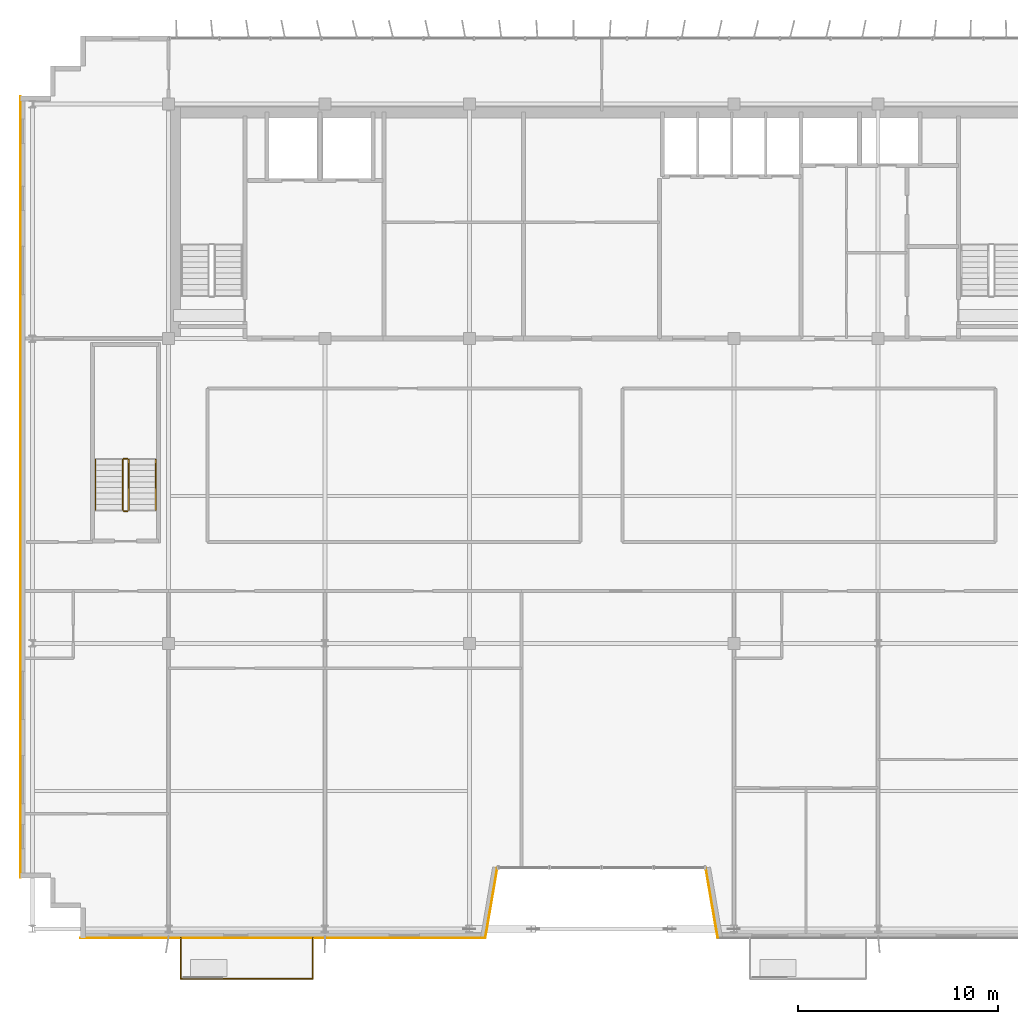
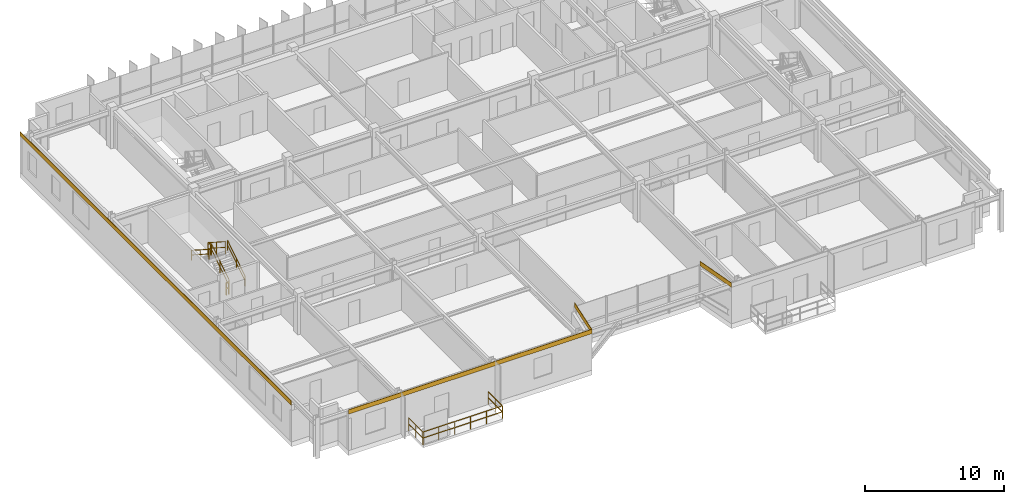
# One storey, part 26 of 28: 9 railings, 4 coverings.
"""IFC4 building model written with IfcOpenShell, lengths in metres."""

from ifc_helpers import new_model, si_unit, direction, frame, origin, origin_2d, place, context, subcontext, project, spatial, rectangle, extrude, source, transform, mapped, material, layer, layer_set, type_object, element, save


model = new_model("IFC4")

# Units and contexts
model_context = context("Model", 3, precision=1e-05, world=origin(), true_north=direction((0.0, 1.0)))
body_context = subcontext(model_context, "Body", "Model", "MODEL_VIEW")
ifc_project = project(units=[si_unit("LENGTHUNIT", "METRE"), si_unit("AREAUNIT", "SQUARE_METRE"), si_unit("VOLUMEUNIT", "CUBIC_METRE"), si_unit("PLANEANGLEUNIT", "RADIAN"), si_unit("MASSUNIT", "GRAM", prefix="KILO")], contexts=[model_context])

# Site, building, storey
site_placement = place(None, origin())
site = spatial("IfcSite", under=ifc_project, at=site_placement, CompositionType="ELEMENT")
building_placement = place(site_placement, origin())
building = spatial("IfcBuilding", under=site, at=building_placement, Name="Trelvane Seafront Commons", CompositionType="ELEMENT")
storey_placement = place(building_placement, frame((0.0, 0.0, 295.5)))
storey = spatial("IfcBuildingStorey", under=building, at=storey_placement, Name="L77", CompositionType="ELEMENT", Elevation=295.5)

# Railings
ifc_material_1 = material(Name="Stainless steel balustrade", Category="steel")
railing_type_1 = type_object("IfcRailingType", Name="ARCH-RAIL-BAL1150", PredefinedType="BALUSTRADE", material=ifc_material_1)
railing_1_placement = place(storey_placement, frame((16.199951171875, 3.5, 0.0)))
element("IfcRailing", 1, at=railing_1_placement, inside=storey, type_object=railing_type_1, Name="RL-L77-BAL0-01", PredefinedType="BALUSTRADE", context=body_context, shape_type="SweptSolid", body=[
    extrude(rectangle(XDim=0.048095703125, YDim=0.048095703125, at=origin_2d()), frame((0.0, 0.0, 1.1259765625), z_axis=(0.0, -1.0, 0.0), x_axis=(1.0, 0.0, 0.0)), (0.0, 0.0, 1.0), 2.0400390625),
    extrude(rectangle(XDim=0.048095703125, YDim=0.048095703125, at=origin_2d()), frame((0.0, 0.0, 0.597900390625), z_axis=(0.0, -1.0, 0.0), x_axis=(1.0, 0.0, 0.0)), (0.0, 0.0, 1.0), 2.0400390625),
    extrude(rectangle(XDim=0.0419921875, YDim=0.0419921875, at=origin_2d()), origin(), (0.0, 0.0, 1.0), 1.1259765625),
    extrude(rectangle(XDim=0.0419921875, YDim=0.0419921875, at=origin_2d()), frame((0.0, -1.02001953125, 0.0)), (0.0, 0.0, 1.0), 1.1259765625),
    extrude(rectangle(XDim=0.0419921875, YDim=0.0419921875, at=origin_2d()), frame((0.0, -2.0400390625, 0.0)), (0.0, 0.0, 1.0), 1.1259765625),
])
railing_2_placement = place(storey_placement, frame((16.199951171875, 1.4599609375, 0.0)))
element("IfcRailing", 2, at=railing_2_placement, inside=storey, type_object=railing_type_1, Name="RL-L77-BAL0-02", PredefinedType="BALUSTRADE", context=body_context, shape_type="SweptSolid", body=[
    extrude(rectangle(XDim=0.048095703125, YDim=0.048095703125, at=origin_2d()), frame((0.0, 0.0, 1.1259765625), z_axis=(1.0, 0.0, 0.0), x_axis=(0.0, 1.0, 0.0)), (0.0, 0.0, 1.0), 6.60009765625),
    extrude(rectangle(XDim=0.048095703125, YDim=0.048095703125, at=origin_2d()), frame((0.0, 0.0, 0.597900390625), z_axis=(1.0, 0.0, 0.0), x_axis=(0.0, 1.0, 0.0)), (0.0, 0.0, 1.0), 6.60009765625),
    extrude(rectangle(XDim=0.0419921875, YDim=0.0419921875, at=origin_2d()), origin(), (0.0, 0.0, 1.0), 1.1259765625),
    extrude(rectangle(XDim=0.0419921875, YDim=0.0419921875, at=origin_2d()), frame((1.320068359375, 0.0, 0.0)), (0.0, 0.0, 1.0), 1.1259765625),
    extrude(rectangle(XDim=0.0419921875, YDim=0.0419921875, at=origin_2d()), frame((2.64013671875, 0.0, 0.0)), (0.0, 0.0, 1.0), 1.1259765625),
    extrude(rectangle(XDim=0.0419921875, YDim=0.0419921875, at=origin_2d()), frame((3.9599609375, 0.0, 0.0)), (0.0, 0.0, 1.0), 1.1259765625),
    extrude(rectangle(XDim=0.0419921875, YDim=0.0419921875, at=origin_2d()), frame((5.280029296875, 0.0, 0.0)), (0.0, 0.0, 1.0), 1.1259765625),
    extrude(rectangle(XDim=0.0419921875, YDim=0.0419921875, at=origin_2d()), frame((6.60009765625, 0.0, 0.0)), (0.0, 0.0, 1.0), 1.1259765625),
])
railing_3_placement = place(storey_placement, frame((22.800048828125, 1.4599609375, 0.0)))
element("IfcRailing", 3, at=railing_3_placement, inside=storey, type_object=railing_type_1, Name="RL-L77-BAL0-03", PredefinedType="BALUSTRADE", context=body_context, shape_type="SweptSolid", body=[
    extrude(rectangle(XDim=0.048095703125, YDim=0.048095703125, at=origin_2d()), frame((0.0, 0.0, 1.1259765625), z_axis=(0.0, 1.0, 0.0), x_axis=(-1.0, 0.0, 0.0)), (0.0, 0.0, 1.0), 2.0400390625),
    extrude(rectangle(XDim=0.048095703125, YDim=0.048095703125, at=origin_2d()), frame((0.0, 0.0, 0.597900390625), z_axis=(0.0, 1.0, 0.0), x_axis=(-1.0, 0.0, 0.0)), (0.0, 0.0, 1.0), 2.0400390625),
    extrude(rectangle(XDim=0.0419921875, YDim=0.0419921875, at=origin_2d()), origin(), (0.0, 0.0, 1.0), 1.1259765625),
    extrude(rectangle(XDim=0.0419921875, YDim=0.0419921875, at=origin_2d()), frame((0.0, 1.02001953125, 0.0)), (0.0, 0.0, 1.0), 1.1259765625),
    extrude(rectangle(XDim=0.0419921875, YDim=0.0419921875, at=origin_2d()), frame((0.0, 2.0400390625, 0.0)), (0.0, 0.0, 1.0), 1.1259765625),
])
railing_type_2 = type_object("IfcRailingType", Name="ARCH-SRL-GUARD", PredefinedType="GUARDRAIL", material=ifc_material_1)
railing_4_placement = place(storey_placement, frame((13.60009765625, 24.85009765625, 0.179931640625)))
element("IfcRailing", 4, at=railing_4_placement, inside=storey, type_object=railing_type_2, Name="L77 ST-5 stair guard 1", PredefinedType="GUARDRAIL", context=body_context, shape_type="SweptSolid", body=[
    extrude(rectangle(XDim=0.048095703125, YDim=0.048095703125, at=origin_2d()), frame((0.0, 0.0, 1.076171875), z_axis=(0.0, 0.841162588446, 0.540782303519), x_axis=(-1.0, 0.0, 0.0)), (0.0, 0.0, 1.0), 2.995849609375),
    extrude(rectangle(XDim=0.048095703125, YDim=0.048095703125, at=origin_2d()), frame((0.0, 0.0, 0.572021484375), z_axis=(0.0, 0.841162588446, 0.540782303519), x_axis=(-1.0, 0.0, 0.0)), (0.0, 0.0, 1.0), 2.995849609375),
    extrude(rectangle(XDim=0.0419921875, YDim=0.0419921875, at=origin_2d()), origin(), (0.0, 0.0, 1.0), 1.076171875),
    extrude(rectangle(XDim=0.0419921875, YDim=0.0419921875, at=origin_2d()), frame((0.0, 1.260009765625, 0.81005859375)), (0.0, 0.0, 1.0), 1.076171875),
    extrude(rectangle(XDim=0.0419921875, YDim=0.0419921875, at=origin_2d()), frame((0.0, 2.52001953125, 1.6201171875)), (0.0, 0.0, 1.0), 1.076171875),
])
railing_5_placement = place(storey_placement, frame((13.550048828125, 27.419921875, 1.800048828125)))
element("IfcRailing", 5, at=railing_5_placement, inside=storey, type_object=railing_type_2, Name="L77 ST-5 stair guard 2", PredefinedType="GUARDRAIL", context=body_context, shape_type="SweptSolid", body=[
    extrude(rectangle(XDim=0.048095703125, YDim=0.048095703125, at=origin_2d()), frame((0.0, 0.0, 1.076171875), z_axis=(-1.0, 0.0, 0.0), x_axis=(0.0, -1.0, 0.0)), (0.0, 0.0, 1.0), 0.199951171875),
    extrude(rectangle(XDim=0.048095703125, YDim=0.048095703125, at=origin_2d()), frame((0.0, 0.0, 0.572021484375), z_axis=(-1.0, 0.0, 0.0), x_axis=(0.0, -1.0, 0.0)), (0.0, 0.0, 1.0), 0.199951171875),
    extrude(rectangle(XDim=0.0419921875, YDim=0.0419921875, at=origin_2d()), origin(), (0.0, 0.0, 1.0), 1.076171875),
    extrude(rectangle(XDim=0.0419921875, YDim=0.0419921875, at=origin_2d()), frame((-0.199951171875, 0.0, 0.0)), (0.0, 0.0, 1.0), 1.076171875),
])
railing_6_placement = place(storey_placement, frame((13.300048828125, 27.3701171875, 1.97998046875)))
element("IfcRailing", 6, at=railing_6_placement, inside=storey, type_object=railing_type_2, Name="L77 ST-5 stair guard 3", PredefinedType="GUARDRAIL", context=body_context, shape_type="SweptSolid", body=[
    extrude(rectangle(XDim=0.048095703125, YDim=0.048095703125, at=origin_2d()), frame((0.0, 0.0, 1.076171875), z_axis=(0.0, -0.841162588446, 0.540782303519), x_axis=(1.0, 0.0, 0.0)), (0.0, 0.0, 1.0), 2.995849609375),
    extrude(rectangle(XDim=0.048095703125, YDim=0.048095703125, at=origin_2d()), frame((0.0, 0.0, 0.572021484375), z_axis=(0.0, -0.841162588446, 0.540782303519), x_axis=(1.0, 0.0, 0.0)), (0.0, 0.0, 1.0), 2.995849609375),
    extrude(rectangle(XDim=0.0419921875, YDim=0.0419921875, at=origin_2d()), origin(), (0.0, 0.0, 1.0), 1.076171875),
    extrude(rectangle(XDim=0.0419921875, YDim=0.0419921875, at=origin_2d()), frame((0.0, -1.260009765625, 0.81005859375)), (0.0, 0.0, 1.0), 1.076171875),
    extrude(rectangle(XDim=0.0419921875, YDim=0.0419921875, at=origin_2d()), frame((0.0, -2.52001953125, 1.6201171875)), (0.0, 0.0, 1.0), 1.076171875),
])
railing_7_placement = place(storey_placement, frame((13.550048828125, 24.800048828125, 0.0)))
element("IfcRailing", 7, at=railing_7_placement, inside=storey, type_object=railing_type_2, Name="L77 ST-5 stair guard 4", PredefinedType="GUARDRAIL", context=body_context, shape_type="SweptSolid", body=[
    extrude(rectangle(XDim=0.048095703125, YDim=0.048095703125, at=origin_2d()), frame((0.0, 0.0, 1.076171875), z_axis=(-1.0, 0.0, 0.0), x_axis=(0.0, -1.0, 0.0)), (0.0, 0.0, 1.0), 0.199951171875),
    extrude(rectangle(XDim=0.048095703125, YDim=0.048095703125, at=origin_2d()), frame((0.0, 0.0, 0.572021484375), z_axis=(-1.0, 0.0, 0.0), x_axis=(0.0, -1.0, 0.0)), (0.0, 0.0, 1.0), 0.199951171875),
    extrude(rectangle(XDim=0.0419921875, YDim=0.0419921875, at=origin_2d()), origin(), (0.0, 0.0, 1.0), 1.076171875),
    extrude(rectangle(XDim=0.0419921875, YDim=0.0419921875, at=origin_2d()), frame((-0.199951171875, 0.0, 0.0)), (0.0, 0.0, 1.0), 1.076171875),
])
railing_type_3 = type_object("IfcRailingType", Name="ARCH-SRL-HAND", PredefinedType="HANDRAIL", material=ifc_material_1)
railing_8_placement = place(storey_placement, frame((14.949951171875, 24.85009765625, 0.179931640625)))
element("IfcRailing", 8, at=railing_8_placement, inside=storey, type_object=railing_type_3, Name="L77 ST-5 stair handrail 1", PredefinedType="HANDRAIL", context=body_context, shape_type="SweptSolid", body=[
    extrude(rectangle(XDim=0.048095703125, YDim=0.048095703125, at=origin_2d()), frame((0.0, 0.0, 0.8759765625), z_axis=(0.0, 0.841162588446, 0.540782303519), x_axis=(-1.0, 0.0, 0.0)), (0.0, 0.0, 1.0), 2.995849609375),
    extrude(rectangle(XDim=0.048095703125, YDim=0.048095703125, at=origin_2d()), frame((0.0, 0.0, 0.468017578125), z_axis=(0.0, 0.841162588446, 0.540782303519), x_axis=(-1.0, 0.0, 0.0)), (0.0, 0.0, 1.0), 2.995849609375),
    extrude(rectangle(XDim=0.0419921875, YDim=0.0419921875, at=origin_2d()), origin(), (0.0, 0.0, 1.0), 0.8759765625),
    extrude(rectangle(XDim=0.0419921875, YDim=0.0419921875, at=origin_2d()), frame((0.0, 1.260009765625, 0.81005859375)), (0.0, 0.0, 1.0), 0.8759765625),
    extrude(rectangle(XDim=0.0419921875, YDim=0.0419921875, at=origin_2d()), frame((0.0, 2.52001953125, 1.6201171875)), (0.0, 0.0, 1.0), 0.8759765625),
])
railing_9_placement = place(storey_placement, frame((11.949951171875, 27.3701171875, 1.97998046875)))
element("IfcRailing", 9, at=railing_9_placement, inside=storey, type_object=railing_type_3, Name="L77 ST-5 stair handrail 2", PredefinedType="HANDRAIL", context=body_context, shape_type="SweptSolid", body=[
    extrude(rectangle(XDim=0.048095703125, YDim=0.048095703125, at=origin_2d()), frame((0.0, 0.0, 0.8759765625), z_axis=(0.0, -0.841162588446, 0.540782303519), x_axis=(1.0, 0.0, 0.0)), (0.0, 0.0, 1.0), 2.995849609375),
    extrude(rectangle(XDim=0.048095703125, YDim=0.048095703125, at=origin_2d()), frame((0.0, 0.0, 0.468017578125), z_axis=(0.0, -0.841162588446, 0.540782303519), x_axis=(1.0, 0.0, 0.0)), (0.0, 0.0, 1.0), 2.995849609375),
    extrude(rectangle(XDim=0.0419921875, YDim=0.0419921875, at=origin_2d()), origin(), (0.0, 0.0, 1.0), 0.8759765625),
    extrude(rectangle(XDim=0.0419921875, YDim=0.0419921875, at=origin_2d()), frame((0.0, -1.260009765625, 0.81005859375)), (0.0, 0.0, 1.0), 0.8759765625),
    extrude(rectangle(XDim=0.0419921875, YDim=0.0419921875, at=origin_2d()), frame((0.0, -2.52001953125, 1.6201171875)), (0.0, 0.0, 1.0), 0.8759765625),
])

# Coverings
ifc_material_2 = material(Name="Anodised pale-silver aluminium", Category="aluminium")
ifc_layer = layer(ifc_material_2, 0.034912109375, Name="ARCH-COV-CLAD35")
ifc_layer_set = layer_set([ifc_layer], Name="Anodised pale-silver aluminium")
covering_type = type_object("IfcCoveringType", Name="ARCH-COV-CLAD35", PredefinedType="CLADDING", material=ifc_layer_set)
shared_shape_1 = source(origin(), body_context, "Body", "SweptSolid", [
    extrude(rectangle(XDim=39.0, YDim=0.034912109375, at=origin_2d()), origin(), (0.0, 0.0, 1.0), 0.3798828125),
])
covering_1_placement = place(storey_placement, frame((8.199951171875, 26.0, 3.219970703125), z_axis=(0.0, 0.0, 1.0), x_axis=(0.0, 1.0, 0.0)))
element("IfcCovering", 10, at=covering_1_placement, inside=storey, type_object=covering_type, Name="CLD-L77-00309", PredefinedType="CLADDING", context=body_context, shape_type="MappedRepresentation", body=[
    mapped(shared_shape_1, transform((0.0, 0.0, 0.0), x_axis=(1.0, 0.0, 0.0), y_axis=(0.0, 1.0, 0.0), z_axis=(0.0, 0.0, 1.0), scale=1.0)),
])
shared_shape_2 = source(origin(), body_context, "Body", "SweptSolid", [
    extrude(rectangle(XDim=20.199951171875, YDim=0.034912109375, at=origin_2d()), origin(), (0.0, 0.0, 1.0), 0.3798828125),
])
covering_2_placement = place(storey_placement, frame((21.300048828125, 3.5, 3.219970703125), z_axis=(0.0, 0.0, 1.0), x_axis=(-1.0, 0.0, 0.0)))
element("IfcCovering", 11, at=covering_2_placement, inside=storey, type_object=covering_type, Name="CLD-L77-00314", PredefinedType="CLADDING", context=body_context, shape_type="MappedRepresentation", body=[
    mapped(shared_shape_2, transform((0.0, 0.0, 0.0), x_axis=(1.0, 0.0, 0.0), y_axis=(0.0, 1.0, 0.0), z_axis=(0.0, 0.0, 1.0), scale=1.0)),
])
shared_shape_3 = source(origin(), body_context, "Body", "SweptSolid", [
    extrude(rectangle(XDim=3.551025390625, YDim=0.034912109375, at=origin_2d()), origin(), (0.0, 0.0, 1.0), 0.3798828125),
])
for number, where, z_axis, x_axis, name in (
    (12, (42.699951171875, 5.25, 3.219970703125), (0.0, 0.0, 1.0), (-0.168964184077, 0.985622191562, 0.0), "CLD-L77-00312"),
    (13, (31.699951171875, 5.25, 3.219970703125), (0.0, 0.0, 1.0), (-0.168964184077, -0.985622191562, 0.0), "CLD-L77-00313"),
):
    element("IfcCovering", number, at=place(storey_placement, frame(where, z_axis=z_axis, x_axis=x_axis)), inside=storey, type_object=covering_type, Name=name, PredefinedType="CLADDING", context=body_context, shape_type="MappedRepresentation", body=[
        mapped(shared_shape_3, transform((0.0, 0.0, 0.0), x_axis=(1.0, 0.0, 0.0), y_axis=(0.0, 1.0, 0.0), z_axis=(0.0, 0.0, 1.0), scale=1.0)),
    ])

save(model, "model.ifc")
